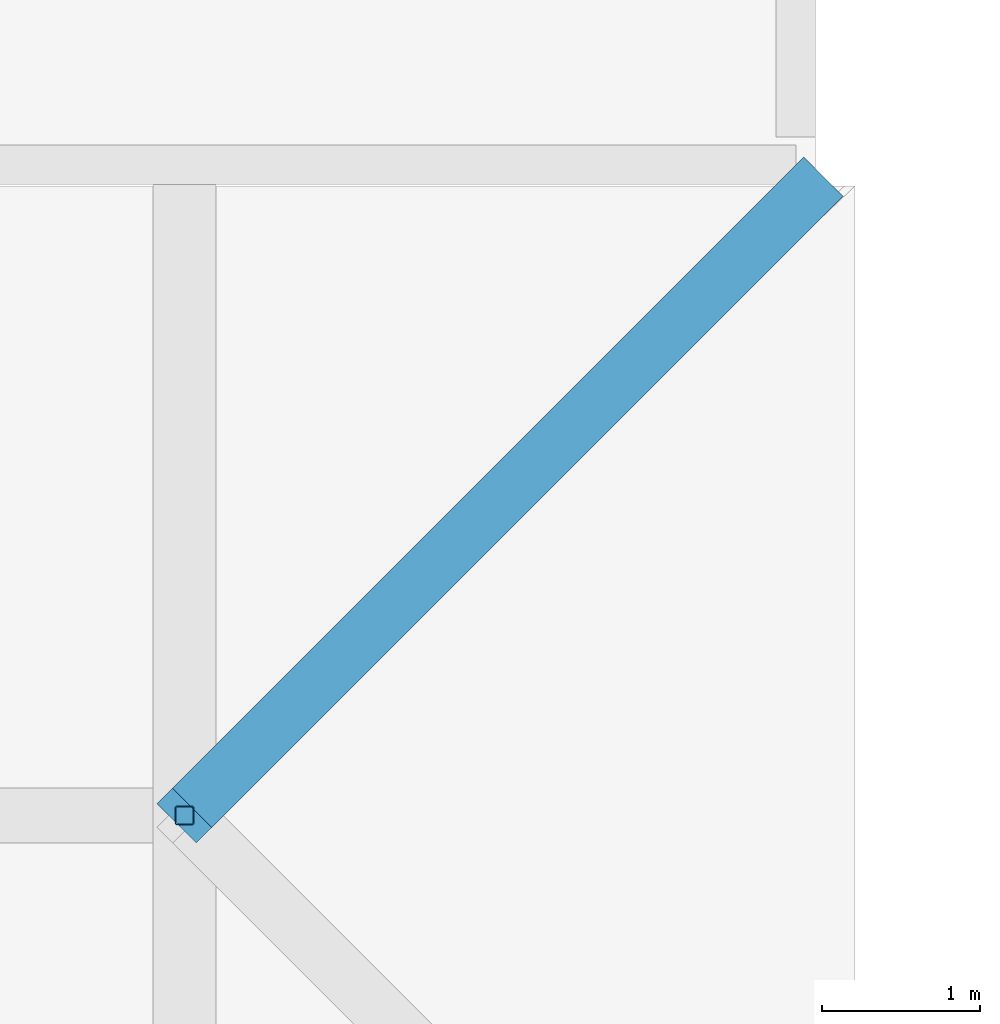
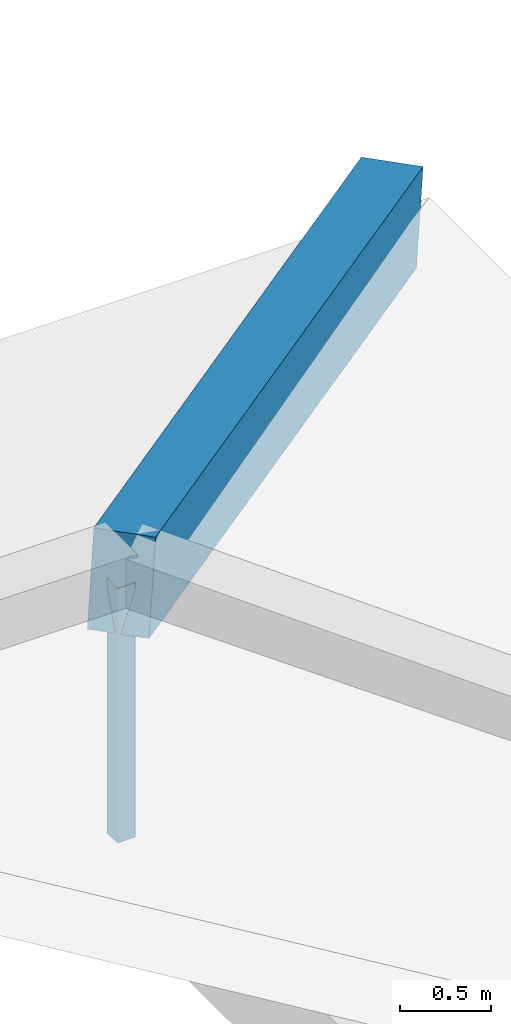
# One storey, part 6 of 56: 1 beam, 1 member.
"""IFC4 building model written with IfcOpenShell, lengths in metres."""

from ifc_helpers import new_model, si_unit, direction, frame, origin, origin_2d, place, context, subcontext, project, spatial, rectangle, hollow_rectangle, extrude, material, material_profile, profile_set, type_object, element, save


model = new_model("IFC4")

# Units and contexts
model_context = context("Model", 3, precision=1e-05, world=origin(), true_north=direction((0.0, 1.0)))
body_context = subcontext(model_context, "Body", "Model", "MODEL_VIEW")
ifc_project = project(units=[si_unit("LENGTHUNIT", "METRE"), si_unit("AREAUNIT", "SQUARE_METRE"), si_unit("VOLUMEUNIT", "CUBIC_METRE"), si_unit("PLANEANGLEUNIT", "RADIAN"), si_unit("MASSUNIT", "GRAM", prefix="KILO")], contexts=[model_context])

# Site, building, storey
site_placement = place(None, origin())
site = spatial("IfcSite", under=ifc_project, at=site_placement, CompositionType="ELEMENT")
building_placement = place(site_placement, origin())
building = spatial("IfcBuilding", under=site, at=building_placement, Name="Zacnel Wholesale Market", CompositionType="ELEMENT")
storey_placement = place(building_placement, frame((0.0, 0.0, 20.300048828125)))
storey = spatial("IfcBuildingStorey", under=building, at=storey_placement, Name="RF", CompositionType="ELEMENT", Elevation=20.300048828125)

# Beam
ifc_material_1 = material(Name="Concrete C40/50", Category="concrete")
ifc_material_profile_1 = material_profile(ifc_material_1, rectangle(XDim=0.35009765625, YDim=0.60009765625, at=origin_2d()), Name="ARCH RIB 350x600")
ifc_profile_set_1 = profile_set([ifc_material_profile_1], Name="Concrete C40/50")
beam_type = type_object("IfcBeamType", Name="BM-AR600", PredefinedType="USERDEFINED", material=ifc_profile_set_1)
beam_placement = place(storey_placement, frame((71.699951171875, 24.0, -9.1201171875), z_axis=(-0.687789348367, -0.687789348367, 0.232145696806), x_axis=(0.707106781187, -0.707106781187, 0.0)))
element("IfcBeam", 1, at=beam_placement, inside=storey, type_object=beam_type, Name="Hipped crown rib STR-ROOF-V4W-PAV-3", ObjectType="ARCH RIB", PredefinedType="USERDEFINED", context=body_context, shape_type="SweptSolid", body=[
    extrude(rectangle(XDim=0.35009765625, YDim=0.60009765625, at=origin_2d()), origin(), (0.0, 0.0, 1.0), 5.815673828125),
])

# Member
ifc_material_2 = material(Name="Steel S355", Category="steel")
ifc_material_profile_2 = material_profile(ifc_material_2, hollow_rectangle(XDim=0.1201171875, YDim=0.1201171875, WallThickness=0.00634765625, InnerFilletRadius=0.006103515625, OuterFilletRadius=0.011962890625, at=origin_2d()), Name="HSS 120x120x6.3")
ifc_profile_set_2 = profile_set([ifc_material_profile_2], Name="Steel S355")
member_type = type_object("IfcMemberType", Name="MEM-PST-HSS120", PredefinedType="POST", material=ifc_profile_set_2)
member_placement = place(storey_placement, frame((67.699951171875, 20.0, -9.449951171875), z_axis=(0.0, 0.0, 1.0), x_axis=(1.0, 0.0, 0.0)))
element("IfcMember", 2, at=member_placement, inside=storey, type_object=member_type, Name="Hipped crown king-post STR-ROOF-V4W-PAV-2", PredefinedType="POST", context=body_context, shape_type="SweptSolid", body=[
    extrude(hollow_rectangle(XDim=0.1201171875, YDim=0.1201171875, WallThickness=0.00634765625, InnerFilletRadius=0.006103515625, OuterFilletRadius=0.011962890625, at=origin_2d()), origin(), (0.0, 0.0, 1.0), 1.699951171875),
])

save(model, "model.ifc")
